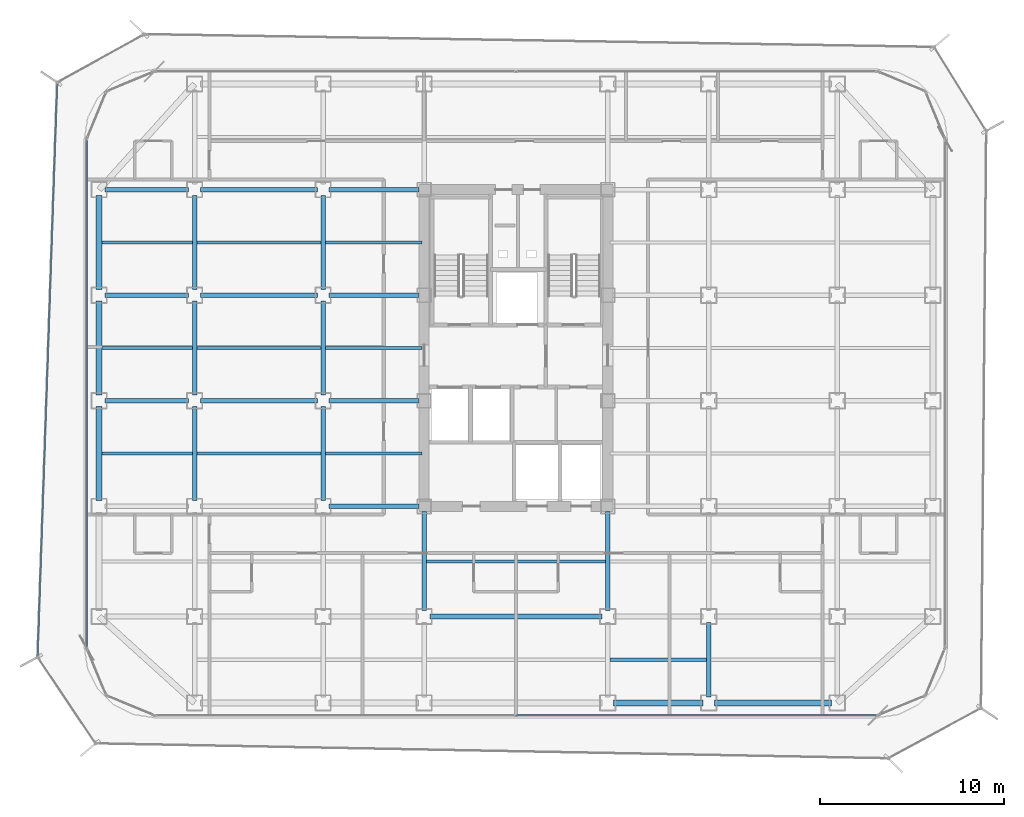
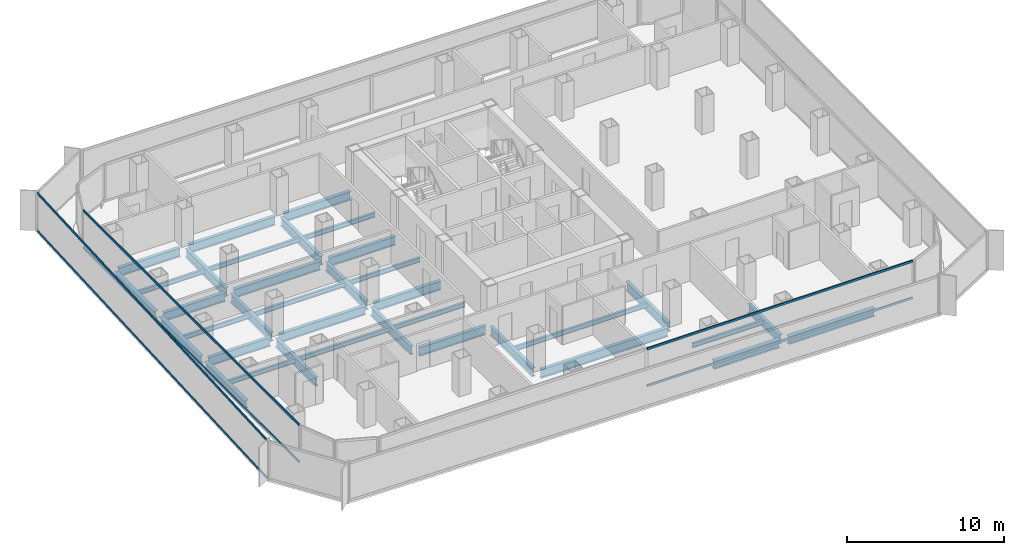
# One storey, part 5 of 21: 36 beams, 6 members, 3 elements without a shape of their own.
"""IFC4 building model written with IfcOpenShell, lengths in metres."""

from ifc_helpers import new_model, si_unit, direction, frame, origin, origin_2d, place, context, subcontext, project, spatial, hollow_rectangle, i_section, extrude, source, transform, mapped, material, layer, layer_set, material_profile, profile_set, type_object, element, aggregate, save


model = new_model("IFC4")

# Units and contexts
model_context = context("Model", 3, precision=1e-05, world=origin(), true_north=direction((0.0, 1.0)))
body_context = subcontext(model_context, "Body", "Model", "MODEL_VIEW")
ifc_project = project(units=[si_unit("LENGTHUNIT", "METRE"), si_unit("AREAUNIT", "SQUARE_METRE"), si_unit("VOLUMEUNIT", "CUBIC_METRE"), si_unit("PLANEANGLEUNIT", "RADIAN"), si_unit("MASSUNIT", "GRAM", prefix="KILO")], contexts=[model_context])

# Site, building, storey
site_placement = place(None, origin())
site = spatial("IfcSite", under=ifc_project, at=site_placement, CompositionType="ELEMENT")
building_placement = place(site_placement, origin())
building = spatial("IfcBuilding", under=site, at=building_placement, Name="Kolveth Station Tower", CompositionType="ELEMENT")
storey_placement = place(building_placement, frame((0.0, 0.0, 95.89990234375)))
storey = spatial("IfcBuildingStorey", under=building, at=storey_placement, Name="L25", CompositionType="ELEMENT", Elevation=95.89990234375)

# Beams
ifc_material_1 = material(Name="Steel S355", Category="steel")
ifc_material_profile_1 = material_profile(ifc_material_1, i_section(OverallWidth=0.323974609375, OverallDepth=0.611083984375, WebThickness=0.0126953125, FlangeThickness=0.01904296875, at=origin_2d()), Name="W610x155")
ifc_profile_set_1 = profile_set([ifc_material_profile_1], Name="Steel S355")
beam_type_1 = type_object("IfcBeamType", Name="Beam_SP2", PredefinedType="SPANDREL", material=ifc_profile_set_1)
shared_shape_1 = source(origin(), body_context, "Body", "SweptSolid", [
    extrude(i_section(OverallWidth=0.323974609375, OverallDepth=0.611083984375, WebThickness=0.0126953125, FlangeThickness=0.01904296875, at=origin_2d()), origin(), (0.0, 0.0, 1.0), 6.35986328125),
])
beam_1_placement = place(storey_placement, frame((34.320068359375, 0.800048828125, -0.555419921875), z_axis=(1.0, 0.0, 0.0), x_axis=(0.0, 1.0, 0.0)))
element("IfcBeam", 1, at=beam_1_placement, inside=storey, type_object=beam_type_1, Name="L25 Perimeter Spandrel BM-L25-PS-5", PredefinedType="SPANDREL", context=body_context, shape_type="MappedRepresentation", body=[
    mapped(shared_shape_1, transform((0.0, 0.0, 0.0), x_axis=(1.0, 0.0, 0.0), y_axis=(0.0, 1.0, 0.0), z_axis=(0.0, 0.0, 1.0), scale=1.0)),
])
shared_shape_2 = source(origin(), body_context, "Body", "SweptSolid", [
    extrude(i_section(OverallWidth=0.323974609375, OverallDepth=0.611083984375, WebThickness=0.0126953125, FlangeThickness=0.01904296875, at=origin_2d()), origin(), (0.0, 0.0, 1.0), 4.85986328125),
])
beam_2_placement = place(storey_placement, frame((28.820068359375, 0.800048828125, -0.555419921875), z_axis=(1.0, 0.0, 0.0), x_axis=(0.0, 1.0, 0.0)))
element("IfcBeam", 2, at=beam_2_placement, inside=storey, type_object=beam_type_1, Name="L25 Perimeter Spandrel BM-L25-PS-4", PredefinedType="SPANDREL", context=body_context, shape_type="MappedRepresentation", body=[
    mapped(shared_shape_2, transform((0.0, 0.0, 0.0), x_axis=(1.0, 0.0, 0.0), y_axis=(0.0, 1.0, 0.0), z_axis=(0.0, 0.0, 1.0), scale=1.0)),
])
shared_shape_3 = source(origin(), body_context, "Body", "SweptSolid", [
    extrude(i_section(OverallWidth=0.323974609375, OverallDepth=0.611083984375, WebThickness=0.0126953125, FlangeThickness=0.01904296875, at=origin_2d()), origin(), (0.0, 0.0, 1.0), 5.10986328125),
])
for number, where, z_axis, x_axis, name in (
    (3, (0.800048828125, 11.820068359375, -0.555419921875), (0.0, 1.0, 0.0), (-1.0, 0.0, 0.0), "L25 Perimeter Spandrel BM-L25-PW-2"),
    (4, (0.800048828125, 17.570068359375, -0.555419921875), (0.0, 1.0, 0.0), (-1.0, 0.0, 0.0), "L25 Perimeter Spandrel BM-L25-PW-3"),
    (5, (0.800048828125, 23.320068359375, -0.555419921875), (0.0, 1.0, 0.0), (-1.0, 0.0, 0.0), "L25 Perimeter Spandrel BM-L25-PW-4"),
):
    element("IfcBeam", number, at=place(storey_placement, frame(where, z_axis=z_axis, x_axis=x_axis)), inside=storey, type_object=beam_type_1, Name=name, PredefinedType="SPANDREL", context=body_context, shape_type="MappedRepresentation", body=[
        mapped(shared_shape_3, transform((0.0, 0.0, 0.0), x_axis=(1.0, 0.0, 0.0), y_axis=(0.0, 1.0, 0.0), z_axis=(0.0, 0.0, 1.0), scale=1.0)),
    ])
ifc_material_profile_2 = material_profile(ifc_material_1, i_section(OverallWidth=0.25390625, OverallDepth=0.68798828125, WebThickness=0.01318359375, FlangeThickness=0.02099609375, at=origin_2d()), Name="W690x152")
ifc_profile_set_2 = profile_set([ifc_material_profile_2], Name="Steel S355")
beam_type_2 = type_object("IfcBeamType", Name="Beam_B4", PredefinedType="BEAM", material=ifc_profile_set_2)
shared_shape_4 = source(origin(), body_context, "Body", "SweptSolid", [
    extrude(i_section(OverallWidth=0.25390625, OverallDepth=0.68798828125, WebThickness=0.01318359375, FlangeThickness=0.02099609375, at=origin_2d()), origin(), (0.0, 0.0, 1.0), 4.559814453125),
])
for number, where, z_axis, x_axis, name in (
    (6, (1.1201171875, 17.25, -0.593994140625), (1.0, 0.0, 0.0), (0.0, 1.0, 0.0), "L25 Primary Girder BM-L25-GY172-1"),
    (7, (1.1201171875, 23.0, -0.593994140625), (1.0, 0.0, 0.0), (0.0, 1.0, 0.0), "L25 Primary Girder BM-L25-GY230-1"),
    (8, (1.1201171875, 28.75, -0.593994140625), (1.0, 0.0, 0.0), (0.0, 1.0, 0.0), "L25 Primary Girder BM-L25-GY287-1"),
):
    element("IfcBeam", number, at=place(storey_placement, frame(where, z_axis=z_axis, x_axis=x_axis)), inside=storey, type_object=beam_type_2, Name=name, PredefinedType="BEAM", context=body_context, shape_type="MappedRepresentation", body=[
        mapped(shared_shape_4, transform((0.0, 0.0, 0.0), x_axis=(1.0, 0.0, 0.0), y_axis=(0.0, 1.0, 0.0), z_axis=(0.0, 0.0, 1.0), scale=1.0)),
    ])
shared_shape_5 = source(origin(), body_context, "Body", "SweptSolid", [
    extrude(i_section(OverallWidth=0.25390625, OverallDepth=0.68798828125, WebThickness=0.01318359375, FlangeThickness=0.02099609375, at=origin_2d()), origin(), (0.0, 0.0, 1.0), 6.35986328125),
])
for number, where, z_axis, x_axis, name in (
    (9, (6.320068359375, 17.25, -0.593994140625), (1.0, 0.0, 0.0), (0.0, 1.0, 0.0), "L25 Primary Girder BM-L25-GY172-2"),
    (10, (6.320068359375, 23.0, -0.593994140625), (1.0, 0.0, 0.0), (0.0, 1.0, 0.0), "L25 Primary Girder BM-L25-GY230-2"),
    (11, (6.320068359375, 28.75, -0.593994140625), (1.0, 0.0, 0.0), (0.0, 1.0, 0.0), "L25 Primary Girder BM-L25-GY287-2"),
):
    element("IfcBeam", number, at=place(storey_placement, frame(where, z_axis=z_axis, x_axis=x_axis)), inside=storey, type_object=beam_type_2, Name=name, PredefinedType="BEAM", context=body_context, shape_type="MappedRepresentation", body=[
        mapped(shared_shape_5, transform((0.0, 0.0, 0.0), x_axis=(1.0, 0.0, 0.0), y_axis=(0.0, 1.0, 0.0), z_axis=(0.0, 0.0, 1.0), scale=1.0)),
    ])
shared_shape_6 = source(origin(), body_context, "Body", "SweptSolid", [
    extrude(i_section(OverallWidth=0.25390625, OverallDepth=0.68798828125, WebThickness=0.01318359375, FlangeThickness=0.02099609375, at=origin_2d()), origin(), (0.0, 0.0, 1.0), 9.35986328125),
])
beam_3_placement = place(storey_placement, frame((18.820068359375, 5.5, -0.593994140625), z_axis=(1.0, 0.0, 0.0), x_axis=(0.0, 1.0, 0.0)))
element("IfcBeam", 12, at=beam_3_placement, inside=storey, type_object=beam_type_2, Name="L25 Primary Girder BM-L25-GY55-4", PredefinedType="BEAM", context=body_context, shape_type="MappedRepresentation", body=[
    mapped(shared_shape_6, transform((0.0, 0.0, 0.0), x_axis=(1.0, 0.0, 0.0), y_axis=(0.0, 1.0, 0.0), z_axis=(0.0, 0.0, 1.0), scale=1.0)),
])
shared_shape_7 = source(origin(), body_context, "Body", "SweptSolid", [
    extrude(i_section(OverallWidth=0.25390625, OverallDepth=0.68798828125, WebThickness=0.01318359375, FlangeThickness=0.02099609375, at=origin_2d()), origin(), (0.0, 0.0, 1.0), 4.89990234375),
])
for number, where, z_axis, x_axis, name in (
    (13, (13.320068359375, 11.5, -0.593994140625), (1.0, 0.0, 0.0), (0.0, 1.0, 0.0), "L25 Primary Girder BM-L25-GY115-3"),
    (14, (13.320068359375, 17.25, -0.593994140625), (1.0, 0.0, 0.0), (0.0, 1.0, 0.0), "L25 Primary Girder BM-L25-GY172-3"),
    (15, (13.320068359375, 23.0, -0.593994140625), (1.0, 0.0, 0.0), (0.0, 1.0, 0.0), "L25 Primary Girder BM-L25-GY230-3"),
    (16, (13.320068359375, 28.75, -0.593994140625), (1.0, 0.0, 0.0), (0.0, 1.0, 0.0), "L25 Primary Girder BM-L25-GY287-3"),
):
    element("IfcBeam", number, at=place(storey_placement, frame(where, z_axis=z_axis, x_axis=x_axis)), inside=storey, type_object=beam_type_2, Name=name, PredefinedType="BEAM", context=body_context, shape_type="MappedRepresentation", body=[
        mapped(shared_shape_7, transform((0.0, 0.0, 0.0), x_axis=(1.0, 0.0, 0.0), y_axis=(0.0, 1.0, 0.0), z_axis=(0.0, 0.0, 1.0), scale=1.0)),
    ])
shared_shape_8 = source(origin(), body_context, "Body", "SweptSolid", [
    extrude(i_section(OverallWidth=0.25390625, OverallDepth=0.68798828125, WebThickness=0.01318359375, FlangeThickness=0.02099609375, at=origin_2d()), origin(), (0.0, 0.0, 1.0), 4.059814453125),
])
beam_4_placement = place(storey_placement, frame((34.0, 1.1201171875, -0.593994140625), z_axis=(0.0, 1.0, 0.0), x_axis=(-1.0, 0.0, 0.0)))
element("IfcBeam", 17, at=beam_4_placement, inside=storey, type_object=beam_type_2, Name="L25 Primary Girder BM-L25-GX340-1", PredefinedType="BEAM", context=body_context, shape_type="MappedRepresentation", body=[
    mapped(shared_shape_8, transform((0.0, 0.0, 0.0), x_axis=(1.0, 0.0, 0.0), y_axis=(0.0, 1.0, 0.0), z_axis=(0.0, 0.0, 1.0), scale=1.0)),
])
shared_shape_9 = source(origin(), body_context, "Body", "SweptSolid", [
    extrude(i_section(OverallWidth=0.25390625, OverallDepth=0.68798828125, WebThickness=0.01318359375, FlangeThickness=0.02099609375, at=origin_2d()), origin(), (0.0, 0.0, 1.0), 5.10986328125),
])
for number, where, z_axis, x_axis, name in (
    (18, (6.0, 11.820068359375, -0.593994140625), (0.0, 1.0, 0.0), (-1.0, 0.0, 0.0), "L25 Primary Girder BM-L25-GX60-3"),
    (19, (6.0, 17.570068359375, -0.593994140625), (0.0, 1.0, 0.0), (-1.0, 0.0, 0.0), "L25 Primary Girder BM-L25-GX60-4"),
    (20, (6.0, 23.320068359375, -0.593994140625), (0.0, 1.0, 0.0), (-1.0, 0.0, 0.0), "L25 Primary Girder BM-L25-GX60-5"),
    (21, (13.0, 11.820068359375, -0.593994140625), (0.0, 1.0, 0.0), (-1.0, 0.0, 0.0), "L25 Primary Girder BM-L25-GX130-3"),
    (22, (13.0, 17.570068359375, -0.593994140625), (0.0, 1.0, 0.0), (-1.0, 0.0, 0.0), "L25 Primary Girder BM-L25-GX130-4"),
    (23, (13.0, 23.320068359375, -0.593994140625), (0.0, 1.0, 0.0), (-1.0, 0.0, 0.0), "L25 Primary Girder BM-L25-GX130-5"),
):
    element("IfcBeam", number, at=place(storey_placement, frame(where, z_axis=z_axis, x_axis=x_axis)), inside=storey, type_object=beam_type_2, Name=name, PredefinedType="BEAM", context=body_context, shape_type="MappedRepresentation", body=[
        mapped(shared_shape_9, transform((0.0, 0.0, 0.0), x_axis=(1.0, 0.0, 0.0), y_axis=(0.0, 1.0, 0.0), z_axis=(0.0, 0.0, 1.0), scale=1.0)),
    ])
shared_shape_10 = source(origin(), body_context, "Body", "SweptSolid", [
    extrude(i_section(OverallWidth=0.25390625, OverallDepth=0.68798828125, WebThickness=0.01318359375, FlangeThickness=0.02099609375, at=origin_2d()), origin(), (0.0, 0.0, 1.0), 5.39990234375),
])
for number, where, z_axis, x_axis, name in (
    (24, (18.5, 5.820068359375, -0.593994140625), (0.0, 1.0, 0.0), (-1.0, 0.0, 0.0), "L25 Primary Girder BM-L25-GX185-2"),
    (25, (28.5, 5.820068359375, -0.593994140625), (0.0, 1.0, 0.0), (-1.0, 0.0, 0.0), "L25 Primary Girder BM-L25-GX285-2"),
):
    element("IfcBeam", number, at=place(storey_placement, frame(where, z_axis=z_axis, x_axis=x_axis)), inside=storey, type_object=beam_type_2, Name=name, PredefinedType="BEAM", context=body_context, shape_type="MappedRepresentation", body=[
        mapped(shared_shape_10, transform((0.0, 0.0, 0.0), x_axis=(1.0, 0.0, 0.0), y_axis=(0.0, 1.0, 0.0), z_axis=(0.0, 0.0, 1.0), scale=1.0)),
    ])
ifc_material_profile_3 = material_profile(ifc_material_1, i_section(OverallWidth=0.1708984375, OverallDepth=0.35205078125, WebThickness=0.0068359375, FlangeThickness=0.009765625, at=origin_2d()), Name="W360x44")
ifc_profile_set_3 = profile_set([ifc_material_profile_3], Name="Steel S355")
beam_type_3 = type_object("IfcBeamType", Name="Beam_J2", PredefinedType="JOIST", material=ifc_profile_set_3)
shared_shape_11 = source(origin(), body_context, "Body", "SweptSolid", [
    extrude(i_section(OverallWidth=0.1708984375, OverallDepth=0.35205078125, WebThickness=0.0068359375, FlangeThickness=0.009765625, at=origin_2d()), origin(), (0.0, 0.0, 1.0), 4.9150390625),
])
for number, where, z_axis, x_axis, name in (
    (26, (0.9599609375, 14.375, -0.42578125), (1.0, 0.0, 0.0), (0.0, 1.0, 0.0), "L25 Secondary Joist JST-L25-1-3"),
    (27, (0.9599609375, 20.125, -0.42578125), (1.0, 0.0, 0.0), (0.0, 1.0, 0.0), "L25 Secondary Joist JST-L25-1-4"),
    (28, (0.9599609375, 25.875, -0.42578125), (1.0, 0.0, 0.0), (0.0, 1.0, 0.0), "L25 Secondary Joist JST-L25-1-5"),
):
    element("IfcBeam", number, at=place(storey_placement, frame(where, z_axis=z_axis, x_axis=x_axis)), inside=storey, type_object=beam_type_3, Name=name, PredefinedType="JOIST", context=body_context, shape_type="MappedRepresentation", body=[
        mapped(shared_shape_11, transform((0.0, 0.0, 0.0), x_axis=(1.0, 0.0, 0.0), y_axis=(0.0, 1.0, 0.0), z_axis=(0.0, 0.0, 1.0), scale=1.0)),
    ])
shared_shape_12 = source(origin(), body_context, "Body", "SweptSolid", [
    extrude(i_section(OverallWidth=0.1708984375, OverallDepth=0.35205078125, WebThickness=0.0068359375, FlangeThickness=0.009765625, at=origin_2d()), origin(), (0.0, 0.0, 1.0), 6.75),
])
for number, where, z_axis, x_axis, name in (
    (29, (6.125, 14.375, -0.42578125), (1.0, 0.0, 0.0), (0.0, 1.0, 0.0), "L25 Secondary Joist JST-L25-2-3"),
    (30, (6.125, 20.125, -0.42578125), (1.0, 0.0, 0.0), (0.0, 1.0, 0.0), "L25 Secondary Joist JST-L25-2-4"),
    (31, (6.125, 25.875, -0.42578125), (1.0, 0.0, 0.0), (0.0, 1.0, 0.0), "L25 Secondary Joist JST-L25-2-5"),
):
    element("IfcBeam", number, at=place(storey_placement, frame(where, z_axis=z_axis, x_axis=x_axis)), inside=storey, type_object=beam_type_3, Name=name, PredefinedType="JOIST", context=body_context, shape_type="MappedRepresentation", body=[
        mapped(shared_shape_12, transform((0.0, 0.0, 0.0), x_axis=(1.0, 0.0, 0.0), y_axis=(0.0, 1.0, 0.0), z_axis=(0.0, 0.0, 1.0), scale=1.0)),
    ])
shared_shape_13 = source(origin(), body_context, "Body", "SweptSolid", [
    extrude(i_section(OverallWidth=0.1708984375, OverallDepth=0.35205078125, WebThickness=0.0068359375, FlangeThickness=0.009765625, at=origin_2d()), origin(), (0.0, 0.0, 1.0), 5.25),
])
for number, where, z_axis, x_axis, name in (
    (32, (13.125, 14.375, -0.42578125), (1.0, 0.0, 0.0), (0.0, 1.0, 0.0), "L25 Secondary Joist JST-L25-3-3"),
    (33, (13.125, 20.125, -0.42578125), (1.0, 0.0, 0.0), (0.0, 1.0, 0.0), "L25 Secondary Joist JST-L25-3-4"),
    (34, (13.125, 25.875, -0.42578125), (1.0, 0.0, 0.0), (0.0, 1.0, 0.0), "L25 Secondary Joist JST-L25-3-5"),
    (35, (28.625, 3.14990234375, -0.42578125), (1.0, 0.0, 0.0), (0.0, 1.0, 0.0), "L25 Secondary Joist JST-L25-5-1"),
):
    element("IfcBeam", number, at=place(storey_placement, frame(where, z_axis=z_axis, x_axis=x_axis)), inside=storey, type_object=beam_type_3, Name=name, PredefinedType="JOIST", context=body_context, shape_type="MappedRepresentation", body=[
        mapped(shared_shape_13, transform((0.0, 0.0, 0.0), x_axis=(1.0, 0.0, 0.0), y_axis=(0.0, 1.0, 0.0), z_axis=(0.0, 0.0, 1.0), scale=1.0)),
    ])
shared_shape_14 = source(origin(), body_context, "Body", "SweptSolid", [
    extrude(i_section(OverallWidth=0.1708984375, OverallDepth=0.35205078125, WebThickness=0.0068359375, FlangeThickness=0.009765625, at=origin_2d()), origin(), (0.0, 0.0, 1.0), 9.75),
])
beam_5_placement = place(storey_placement, frame((18.625, 8.5, -0.42578125), z_axis=(1.0, 0.0, 0.0), x_axis=(0.0, 1.0, 0.0)))
element("IfcBeam", 36, at=beam_5_placement, inside=storey, type_object=beam_type_3, Name="L25 Secondary Joist JST-L25-4-2", PredefinedType="JOIST", context=body_context, shape_type="MappedRepresentation", body=[
    mapped(shared_shape_14, transform((0.0, 0.0, 0.0), x_axis=(1.0, 0.0, 0.0), y_axis=(0.0, 1.0, 0.0), z_axis=(0.0, 0.0, 1.0), scale=1.0)),
])

# Curtain wall, members
ifc_material_2 = material(Name="Aluminium 6063-T6 and low-E dark glass", Category="aluminium")
ifc_layer_1 = layer(ifc_material_2, 0.18994140625)
ifc_layer_set_1 = layer_set([ifc_layer_1], Name="Aluminium 6063-T6 and low-E dark glass")
curtain_wall_type_1 = type_object("IfcCurtainWallType", Name="CurtainWall_CW-Z2", PredefinedType="NOTDEFINED", material=ifc_layer_set_1)
curtain_wall_1_placement = place(storey_placement, origin())
curtain_wall_1 = element("IfcCurtainWall", 37, at=curtain_wall_1_placement, inside=storey, type_object=curtain_wall_type_1, Name="L25 Inner Thermal Curtain Wall 9", PredefinedType="NOTDEFINED")
ifc_material_3 = material(Name="Black anodized aluminium 6063-T6", Category="aluminium")
ifc_material_profile_4 = material_profile(ifc_material_3, hollow_rectangle(XDim=0.080078125, YDim=0.169921875, WallThickness=0.0048828125, at=origin_2d()), Name="ALU-80x170x5")
ifc_profile_set_4 = profile_set([ifc_material_profile_4], Name="Black anodized aluminium 6063-T6")
member_type_1 = type_object("IfcMemberType", Name="Transom_TR2", PredefinedType="USERDEFINED", material=ifc_profile_set_4)
shared_shape_15 = source(origin(), body_context, "Body", "SweptSolid", [
    extrude(hollow_rectangle(XDim=0.080078125, YDim=0.169921875, WallThickness=0.0048828125, at=origin_2d()), origin(), (0.0, 0.0, 1.0), 27.5400390625),
])
member_1_placement = place(storey_placement, frame((0.1201171875, 31.419921875, 0.0400390625), z_axis=(0.0, -1.0, 0.0), x_axis=(1.0, 0.0, 0.0)))
member_1 = element("IfcMember", 38, at=member_1_placement, type_object=member_type_1, Name="CW-Z2 transom 1.1", ObjectType="TRANSOM", PredefinedType="USERDEFINED", context=body_context, shape_type="MappedRepresentation", body=[
    mapped(shared_shape_15, transform((0.0, 0.0, 0.0), x_axis=(1.0, 0.0, 0.0), y_axis=(0.0, 1.0, 0.0), z_axis=(0.0, 0.0, 1.0), scale=1.0)),
])
member_2_placement = place(storey_placement, frame((0.1201171875, 31.419921875, 2.91015625), z_axis=(0.0, -1.0, 0.0), x_axis=(1.0, 0.0, 0.0)))
member_2 = element("IfcMember", 39, at=member_2_placement, type_object=member_type_1, Name="CW-Z2 transom 1.2", ObjectType="TRANSOM", PredefinedType="USERDEFINED", context=body_context, shape_type="MappedRepresentation", body=[
    mapped(shared_shape_15, transform((0.0, 0.0, 0.0), x_axis=(1.0, 0.0, 0.0), y_axis=(0.0, 1.0, 0.0), z_axis=(0.0, 0.0, 1.0), scale=1.0)),
])
aggregate(curtain_wall_1, [member_1, member_2])

curtain_wall_2_placement = place(storey_placement, origin())
curtain_wall_2 = element("IfcCurtainWall", 40, at=curtain_wall_2_placement, inside=storey, type_object=curtain_wall_type_1, Name="L25 Inner Thermal Curtain Wall 12", PredefinedType="NOTDEFINED")
shared_shape_16 = source(origin(), body_context, "Body", "SweptSolid", [
    extrude(hollow_rectangle(XDim=0.080078125, YDim=0.169921875, WallThickness=0.0048828125, at=origin_2d()), origin(), (0.0, 0.0, 1.0), 19.580078125),
])
member_3_placement = place(storey_placement, frame((23.5400390625, 0.1201171875, 0.0400390625), z_axis=(1.0, 0.0, 0.0), x_axis=(0.0, 1.0, 0.0)))
member_3 = element("IfcMember", 41, at=member_3_placement, type_object=member_type_1, Name="CW-Z2 transom 2.1", ObjectType="TRANSOM", PredefinedType="USERDEFINED", context=body_context, shape_type="MappedRepresentation", body=[
    mapped(shared_shape_16, transform((0.0, 0.0, 0.0), x_axis=(1.0, 0.0, 0.0), y_axis=(0.0, 1.0, 0.0), z_axis=(0.0, 0.0, 1.0), scale=1.0)),
])
member_4_placement = place(storey_placement, frame((23.5400390625, 0.1201171875, 2.91015625), z_axis=(1.0, 0.0, 0.0), x_axis=(0.0, 1.0, 0.0)))
member_4 = element("IfcMember", 42, at=member_4_placement, type_object=member_type_1, Name="CW-Z2 transom 2.2", ObjectType="TRANSOM", PredefinedType="USERDEFINED", context=body_context, shape_type="MappedRepresentation", body=[
    mapped(shared_shape_16, transform((0.0, 0.0, 0.0), x_axis=(1.0, 0.0, 0.0), y_axis=(0.0, 1.0, 0.0), z_axis=(0.0, 0.0, 1.0), scale=1.0)),
])
aggregate(curtain_wall_2, [member_3, member_4])

ifc_material_4 = material(Name="Black anodized aluminium 6063-T6 and dark solar glass", Category="aluminium")
ifc_layer_2 = layer(ifc_material_4, 0.159912109375)
ifc_layer_set_2 = layer_set([ifc_layer_2], Name="Black anodized aluminium 6063-T6 and dark solar glass")
curtain_wall_type_2 = type_object("IfcCurtainWallType", Name="OUTER SKIN CW-OS", PredefinedType="NOTDEFINED", material=ifc_layer_set_2)
curtain_wall_3_placement = place(storey_placement, origin())
curtain_wall_3 = element("IfcCurtainWall", 43, at=curtain_wall_3_placement, inside=storey, type_object=curtain_wall_type_2, Name="L25 Outer Ventilated Skin Curtain Wall 6", PredefinedType="NOTDEFINED")
ifc_material_profile_5 = material_profile(ifc_material_3, hollow_rectangle(XDim=0.080078125, YDim=0.14990234375, WallThickness=0.0048828125, at=origin_2d()), Name="ALU-80x150x5")
ifc_profile_set_5 = profile_set([ifc_material_profile_5], Name="Black anodized aluminium 6063-T6")
member_type_2 = type_object("IfcMemberType", Name="Transom_TR-OS", PredefinedType="USERDEFINED", material=ifc_profile_set_5)
shared_shape_17 = source(origin(), body_context, "Body", "SweptSolid", [
    extrude(hollow_rectangle(XDim=0.080078125, YDim=0.14990234375, WallThickness=0.0048828125, at=origin_2d()), origin(), (0.0, 0.0, 1.0), 31.1240234375),
])
member_5_placement = place(storey_placement, frame((-1.482177734375, 34.495361328125, 0.0400390625), z_axis=(-0.034098360729, -0.999418481816, 0.0), x_axis=(0.999418481816, -0.034098360729, 0.0)))
member_5 = element("IfcMember", 44, at=member_5_placement, type_object=member_type_2, Name="CW-OS transom 1.1", ObjectType="TRANSOM", PredefinedType="USERDEFINED", context=body_context, shape_type="MappedRepresentation", body=[
    mapped(shared_shape_17, transform((0.0, 0.0, 0.0), x_axis=(1.0, 0.0, 0.0), y_axis=(0.0, 1.0, 0.0), z_axis=(0.0, 0.0, 1.0), scale=1.0)),
])
member_6_placement = place(storey_placement, frame((-1.482177734375, 34.495361328125, 2.9501953125), z_axis=(-0.034098360729, -0.999418481816, 0.0), x_axis=(0.999418481816, -0.034098360729, 0.0)))
member_6 = element("IfcMember", 45, at=member_6_placement, type_object=member_type_2, Name="CW-OS transom 1.2", ObjectType="TRANSOM", PredefinedType="USERDEFINED", context=body_context, shape_type="MappedRepresentation", body=[
    mapped(shared_shape_17, transform((0.0, 0.0, 0.0), x_axis=(1.0, 0.0, 0.0), y_axis=(0.0, 1.0, 0.0), z_axis=(0.0, 0.0, 1.0), scale=1.0)),
])
aggregate(curtain_wall_3, [member_5, member_6])

save(model, "model.ifc")
